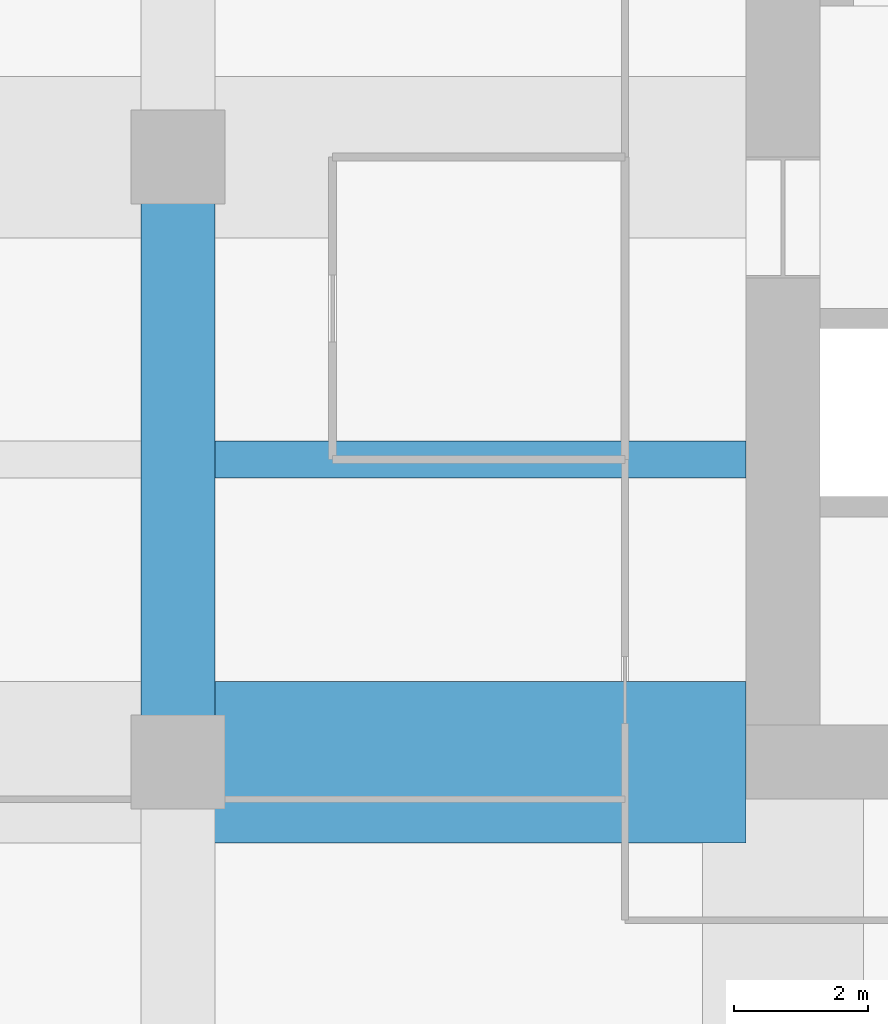
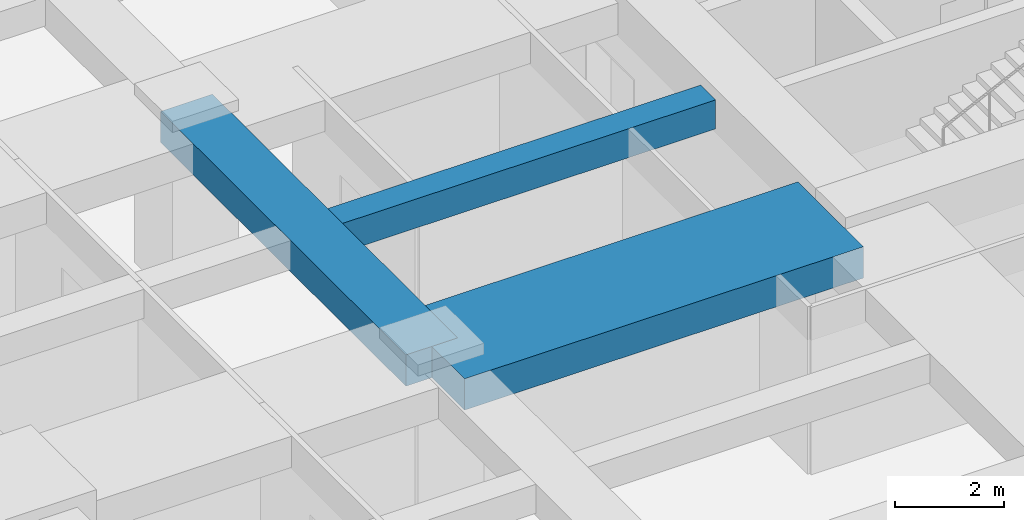
# One storey, part 10 of 35: 3 beams.
"""IFC4 building model written with IfcOpenShell, lengths in metres."""

from ifc_helpers import new_model, si_unit, direction, frame, origin, origin_2d, place, context, subcontext, project, spatial, rectangle, extrude, material, material_profile, profile_set, type_object, element, save


model = new_model("IFC4")

# Units and contexts
model_context = context("Model", 3, precision=1e-05, world=origin(), true_north=direction((0.0, 1.0)))
body_context = subcontext(model_context, "Body", "Model", "MODEL_VIEW")
ifc_project = project(units=[si_unit("LENGTHUNIT", "METRE"), si_unit("AREAUNIT", "SQUARE_METRE"), si_unit("VOLUMEUNIT", "CUBIC_METRE"), si_unit("PLANEANGLEUNIT", "RADIAN"), si_unit("MASSUNIT", "GRAM", prefix="KILO")], contexts=[model_context])

# Site, building, storey
site_placement = place(None, origin())
site = spatial("IfcSite", under=ifc_project, at=site_placement, CompositionType="ELEMENT")
building_placement = place(site_placement, origin())
building = spatial("IfcBuilding", under=site, at=building_placement, Name="Zorevar Civic Tower", CompositionType="ELEMENT")
storey_placement = place(building_placement, frame((0.0, 0.0, 218.199951171875)))
storey = spatial("IfcBuildingStorey", under=building, at=storey_placement, Name="L53", CompositionType="ELEMENT", Elevation=218.199951171875)

# Beams
ifc_material_1 = material(Name="Concrete C50/60", Category="concrete")
ifc_material_profile_1 = material_profile(ifc_material_1, rectangle(XDim=1.10009765625, YDim=0.699951171875, at=origin_2d()), Name="RC 1100x700")
ifc_profile_set_1 = profile_set([ifc_material_profile_1], Name="Concrete C50/60")
beam_type_1 = type_object("IfcBeamType", Name="Beam RC 1100x700", PredefinedType="BEAM", material=ifc_profile_set_1)
beam_1_placement = place(storey_placement, frame((9.0, 18.0, 3.400146484375), z_axis=(0.0, 1.0, 0.0), x_axis=(-1.0, 0.0, 0.0)))
element("IfcBeam", 1, at=beam_1_placement, inside=storey, type_object=beam_type_1, Name="Girder L54", PredefinedType="BEAM", context=body_context, shape_type="SweptSolid", body=[
    extrude(rectangle(XDim=1.10009765625, YDim=0.699951171875, at=origin_2d()), origin(), (0.0, 0.0, 1.0), 9.0),
])
ifc_material_2 = material(Name="Concrete C50/60", Category="concrete")
ifc_material_profile_2 = material_profile(ifc_material_2, rectangle(XDim=2.39990234375, YDim=0.699951171875, at=origin_2d()), Name="RC 2400x700")
ifc_profile_set_2 = profile_set([ifc_material_profile_2], Name="Concrete C50/60")
beam_type_2 = type_object("IfcBeamType", Name="Beam RC 2400x700", PredefinedType="BEAM", material=ifc_profile_set_2)
beam_2_placement = place(storey_placement, frame((9.0, 18.0, 3.400146484375), z_axis=(1.0, 0.0, 0.0), x_axis=(0.0, 1.0, 0.0)))
element("IfcBeam", 2, at=beam_2_placement, inside=storey, type_object=beam_type_2, Name="Girder L54", PredefinedType="BEAM", context=body_context, shape_type="SweptSolid", body=[
    extrude(rectangle(XDim=2.39990234375, YDim=0.699951171875, at=origin_2d()), origin(), (0.0, 0.0, 1.0), 8.449951171875),
])
ifc_material_3 = material(Name="Concrete C50/60", Category="concrete")
ifc_material_profile_3 = material_profile(ifc_material_3, rectangle(XDim=0.550048828125, YDim=0.64990234375, at=origin_2d()), Name="RC 550x650")
ifc_profile_set_3 = profile_set([ifc_material_profile_3], Name="Concrete C50/60")
beam_type_3 = type_object("IfcBeamType", Name="Beam RC 550x650", PredefinedType="BEAM", material=ifc_profile_set_3)
beam_3_placement = place(storey_placement, frame((9.550048828125, 22.5, 3.425048828125), z_axis=(1.0, 0.0, 0.0), x_axis=(0.0, 1.0, 0.0)))
element("IfcBeam", 3, at=beam_3_placement, inside=storey, type_object=beam_type_3, Name="Secondary beam L54", PredefinedType="BEAM", context=body_context, shape_type="SweptSolid", body=[
    extrude(rectangle(XDim=0.550048828125, YDim=0.64990234375, at=origin_2d()), origin(), (0.0, 0.0, 1.0), 7.89990234375),
])

save(model, "model.ifc")
